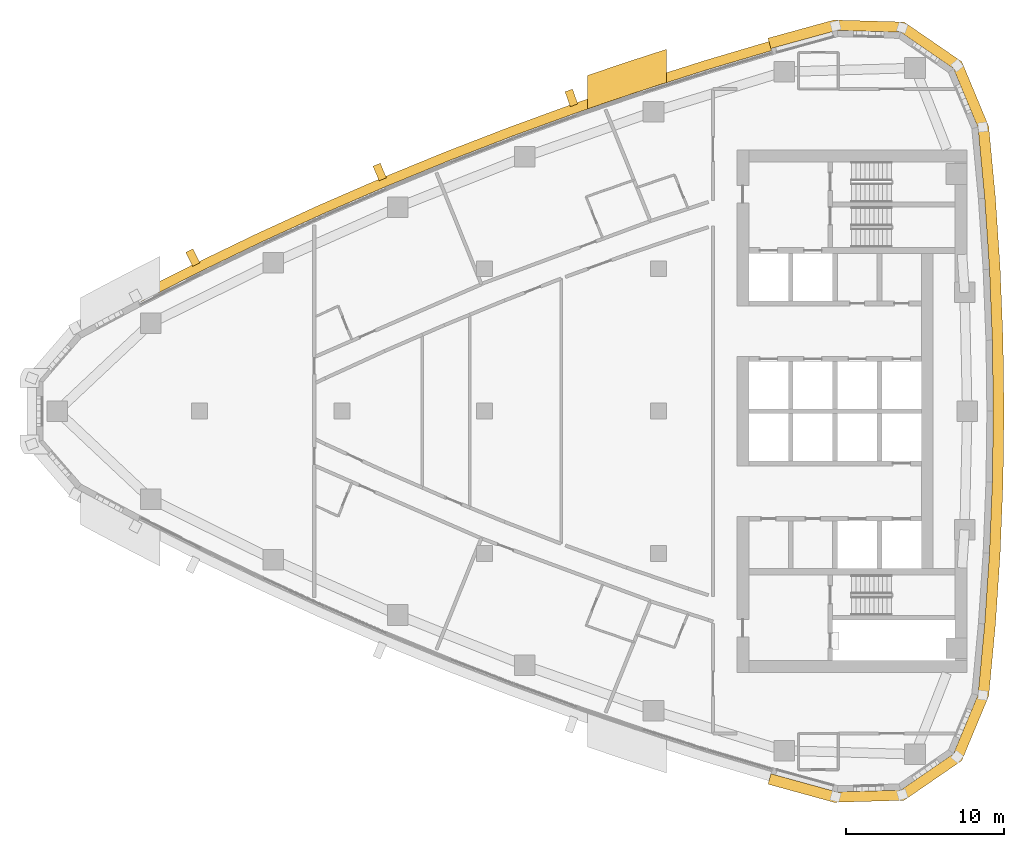
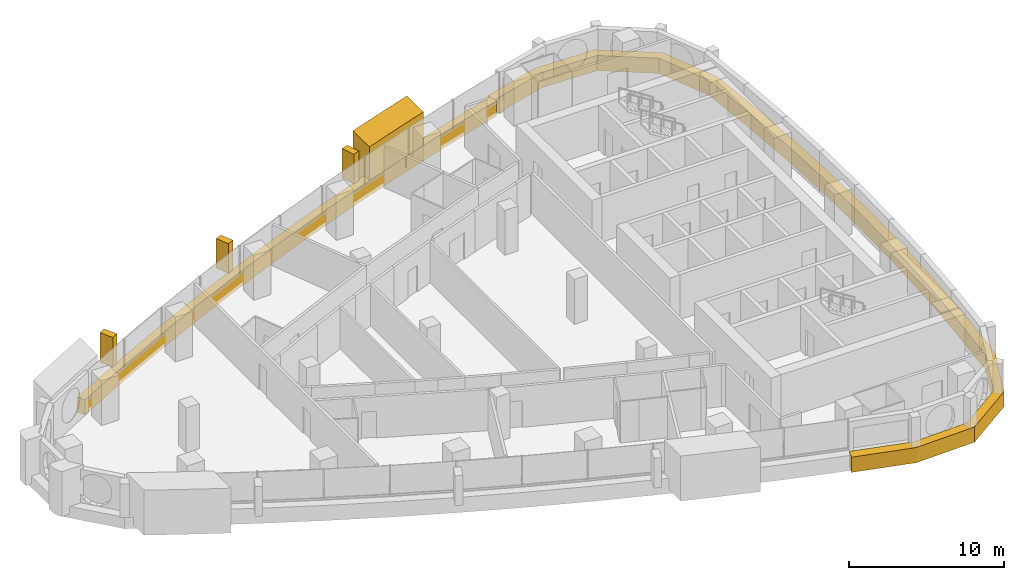
# One storey, part 15 of 16: 6 coverings.
"""IFC4 building model written with IfcOpenShell, lengths in metres."""

from ifc_helpers import new_model, si_unit, direction, frame, frame_2d, origin, place, context, subcontext, project, spatial, polyline, rectangle, outline, extrude, material, layer, layer_set, type_object, element, save


model = new_model("IFC4")

# Units and contexts
model_context = context("Model", 3, precision=1e-05, world=origin(), true_north=direction((0.0, 1.0)))
body_context = subcontext(model_context, "Body", "Model", "MODEL_VIEW")
ifc_project = project(units=[si_unit("LENGTHUNIT", "METRE"), si_unit("AREAUNIT", "SQUARE_METRE"), si_unit("VOLUMEUNIT", "CUBIC_METRE"), si_unit("PLANEANGLEUNIT", "RADIAN"), si_unit("MASSUNIT", "GRAM", prefix="KILO")], contexts=[model_context])

# Site, building, storey
site_placement = place(None, origin())
site = spatial("IfcSite", under=ifc_project, at=site_placement, CompositionType="ELEMENT")
building_placement = place(site_placement, origin())
building = spatial("IfcBuilding", under=site, at=building_placement, Name="Ostrand Prow Hotel Tower", CompositionType="ELEMENT")
storey_placement = place(building_placement, frame((0.0, 0.0, 189.699951171875)))
storey = spatial("IfcBuildingStorey", under=building, at=storey_placement, Name="L47", CompositionType="ELEMENT", Elevation=189.699951171875)

# Coverings
ifc_material_1 = material(Name="Bronze anodised aluminium cladding", Category="aluminium")
ifc_layer_1 = layer(ifc_material_1, 0.60009765625)
ifc_layer_set_1 = layer_set([ifc_layer_1], Name="Bronze anodised aluminium cladding")
covering_type_1 = type_object("IfcCoveringType", Name="Bronze spandrel band 1200x600", PredefinedType="CLADDING", material=ifc_layer_set_1)
covering_1_placement = place(storey_placement, frame((0.0, 0.0, -0.300048828125)))
element("IfcCovering", 1, at=covering_1_placement, inside=storey, type_object=covering_type_1, Name="Spandrel band N1", PredefinedType="CLADDING", context=body_context, shape_type="SweptSolid", body=[
    extrude(outline(polyline([(51.9736328125, 23.35009765625), (47.831787109375, 22.12060546875), (43.7158203125, 20.80810546875), (39.626708984375, 19.4130859375), (35.566650390625, 17.93603515625), (31.537353515625, 16.37744140625), (27.5400390625, 14.738037109375), (23.57666015625, 13.0185546875), (19.648681640625, 11.219482421875), (15.757568359375, 9.341796875), (11.9052734375, 7.38623046875), (12.18212890625, 6.85400390625), (16.023681640625, 8.80419921875), (19.90380859375, 10.676513671875), (23.821044921875, 12.470458984375), (27.773193359375, 14.185302734375), (31.759521484375, 15.820068359375), (35.777587890625, 17.374267578125), (39.826171875, 18.84716796875), (43.90380859375, 20.23828125), (48.00830078125, 21.547119140625), (52.138427734375, 22.773193359375), (51.9736328125, 23.35009765625)])), origin(), (0.0, 0.0, 1.0), 1.2001953125),
])
covering_2_placement = place(storey_placement, frame((0.0, 0.0, -0.300048828125)))
element("IfcCovering", 2, at=covering_2_placement, inside=storey, type_object=covering_type_1, Name="Spandrel band back 1", PredefinedType="CLADDING", context=body_context, shape_type="SweptSolid", body=[
    extrude(outline(polyline([(51.9130859375, -23.561767578125), (56.0830078125, -24.708740234375), (60.5087890625, -24.581787109375), (64.15625, -22.072021484375), (65.856201171875, -17.98388671875), (66.27783203125, -13.499267578125), (66.5791015625, -9.0048828125), (66.760009765625, -4.50390625), (66.8203125, 0.0), (66.760009765625, 4.50390625), (66.5791015625, 9.0048828125), (66.27783203125, 13.499267578125), (65.856201171875, 17.98388671875), (64.15625, 22.072021484375), (60.5087890625, 24.581787109375), (56.0830078125, 24.708740234375), (51.9130859375, 23.561767578125), (52.10009765625, 22.907958984375), (56.256591796875, 24.05126953125), (60.297607421875, 23.935302734375), (63.6279296875, 21.643798828125), (65.18017578125, 17.9111328125), (65.60009765625, 13.444580078125), (65.900146484375, 8.968505859375), (66.080078125, 4.48583984375), (66.140380859375, 0.0), (66.080078125, -4.48583984375), (65.900146484375, -8.968505859375), (65.60009765625, -13.444580078125), (65.18017578125, -17.9111328125), (63.6279296875, -21.643798828125), (60.297607421875, -23.935302734375), (56.256591796875, -24.05126953125), (52.10009765625, -22.907958984375), (51.9130859375, -23.561767578125)])), origin(), (0.0, 0.0, 1.0), 1.2001953125),
])
ifc_material_2 = material(Name="Limestone cladding", Category="masonry")
ifc_layer_2 = layer(ifc_material_2, 5.0)
ifc_layer_set_2 = layer_set([ifc_layer_2], Name="Limestone cladding")
covering_type_2 = type_object("IfcCoveringType", Name="Portal jamb pilaster limestone", PredefinedType="CLADDING", material=ifc_layer_set_2)
covering_3_placement = place(storey_placement, origin())
element("IfcCovering", 3, at=covering_3_placement, inside=storey, type_object=covering_type_2, Name="Portal jamb NB L47", PredefinedType="CLADDING", context=body_context, shape_type="SweptSolid", body=[
    extrude(outline(polyline([(40.5, 19.08349609375), (41.5, 19.429443359375), (42.5, 19.769775390625), (43.5, 20.104736328125), (44.5, 20.43408203125), (45.5, 20.75830078125), (45.5, 22.85791015625), (44.5, 22.537109375), (43.5, 22.211181640625), (42.5, 21.879638671875), (41.5, 21.542724609375), (40.5, 21.200439453125), (40.5, 19.08349609375)])), origin(), (0.0, 0.0, 1.0), 3.550048828125),
])
ifc_material_3 = material(Name="Limestone cladding", Category="masonry")
ifc_layer_3 = layer(ifc_material_3, 0.5)
ifc_layer_set_3 = layer_set([ifc_layer_3], Name="Limestone cladding")
covering_type_3 = type_object("IfcCoveringType", Name="Precast stone fin 500x900", PredefinedType="CLADDING", material=ifc_layer_set_3)
for number, where, z_axis, x_axis, name in (
    (4, (39.659912109375, 19.31884765625, 0.900146484375), (0.0, 0.0, 1.0), (-0.332296445508, 0.943174995588, 0.0), "Stone fin N 4"),
    (5, (27.578857421875, 14.64599609375, 0.900146484375), (0.0, 0.0, 1.0), (-0.388668122057, 0.921377822013, 0.0), "Stone fin N 7"),
    (6, (15.802001953125, 9.252197265625, 0.900146484375), (0.0, 0.0, 1.0), (-0.443596720488, 0.89622650573, 0.0), "Stone fin N 10"),
):
    element("IfcCovering", number, at=place(storey_placement, frame(where, z_axis=z_axis, x_axis=x_axis)), inside=storey, type_object=covering_type_3, Name=name, PredefinedType="CLADDING", context=body_context, shape_type="SweptSolid", body=[
        extrude(rectangle(XDim=1.0, YDim=0.5, at=frame_2d((0.5, 0.0))), origin(), (0.0, 0.0, 1.0), 2.349853515625),
    ])

save(model, "model.ifc")
